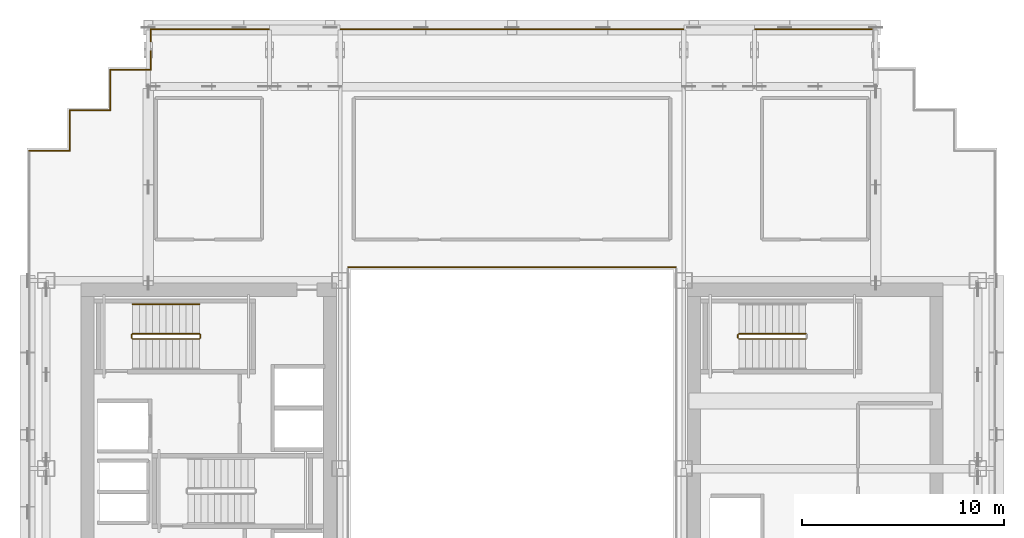
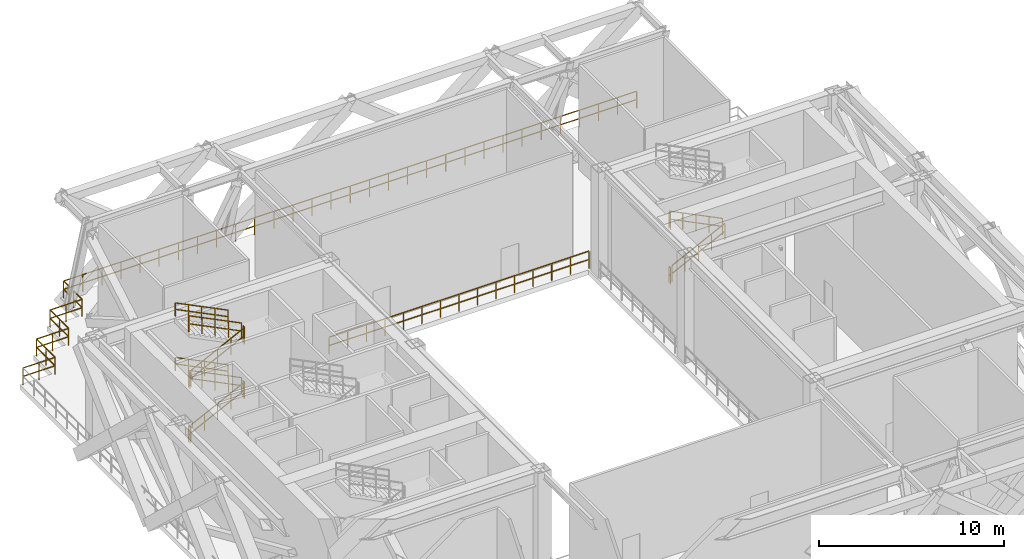
# One storey, part 13 of 14: 23 railings.
"""IFC4 building model written with IfcOpenShell, lengths in metres."""

from ifc_helpers import new_model, si_unit, direction, frame, origin, origin_2d, place, context, subcontext, project, spatial, rectangle, extrude, material, type_object, element, save


model = new_model("IFC4")

# Units and contexts
model_context = context("Model", 3, precision=1e-05, world=origin(), true_north=direction((0.0, 1.0)))
body_context = subcontext(model_context, "Body", "Model", "MODEL_VIEW")
ifc_project = project(units=[si_unit("LENGTHUNIT", "METRE"), si_unit("AREAUNIT", "SQUARE_METRE"), si_unit("VOLUMEUNIT", "CUBIC_METRE"), si_unit("PLANEANGLEUNIT", "RADIAN"), si_unit("MASSUNIT", "GRAM", prefix="KILO")], contexts=[model_context])

# Site, building, storey
site_placement = place(None, origin())
site = spatial("IfcSite", under=ifc_project, at=site_placement, CompositionType="ELEMENT")
building_placement = place(site_placement, origin())
building = spatial("IfcBuilding", under=site, at=building_placement, Name="Ocotamira Hotel", CompositionType="ELEMENT")
storey_placement = place(building_placement, frame((0.0, 0.0, 151.199951171875)))
storey = spatial("IfcBuildingStorey", under=building, at=storey_placement, Name="L38", CompositionType="ELEMENT", Elevation=151.199951171875)

# Railings
ifc_material_1 = material(Name="Painted steel stair guardrail", Category="steel")
railing_type_1 = type_object("IfcRailingType", Name="RL-EDGE-1150", PredefinedType="GUARDRAIL", material=ifc_material_1)
railing_1_placement = place(storey_placement, frame((40.10009765625, 38.1201171875, 0.0)))
element("IfcRailing", 1, at=railing_1_placement, inside=storey, type_object=railing_type_1, Name="L38 Central Atrium Edge Guardrail N", PredefinedType="GUARDRAIL", context=body_context, shape_type="SweptSolid", body=[
    extrude(rectangle(XDim=0.048095703125, YDim=0.048095703125, at=origin_2d()), frame((0.0, 0.0, 1.1259765625), z_axis=(-1.0, 0.0, 0.0), x_axis=(0.0, -1.0, 0.0)), (0.0, 0.0, 1.0), 16.2001953125),
    extrude(rectangle(XDim=0.048095703125, YDim=0.048095703125, at=origin_2d()), frame((0.0, 0.0, 0.574951171875), z_axis=(-1.0, 0.0, 0.0), x_axis=(0.0, -1.0, 0.0)), (0.0, 0.0, 1.0), 16.2001953125),
    extrude(rectangle(XDim=0.0419921875, YDim=0.0419921875, at=origin_2d()), origin(), (0.0, 0.0, 1.0), 1.101806640625),
    extrude(rectangle(XDim=0.0419921875, YDim=0.0419921875, at=origin_2d()), frame((-1.1572265625, 0.0, 0.0)), (0.0, 0.0, 1.0), 1.101806640625),
    extrude(rectangle(XDim=0.0419921875, YDim=0.0419921875, at=origin_2d()), frame((-2.314208984375, 0.0, 0.0)), (0.0, 0.0, 1.0), 1.101806640625),
    extrude(rectangle(XDim=0.0419921875, YDim=0.0419921875, at=origin_2d()), frame((-3.471435546875, 0.0, 0.0)), (0.0, 0.0, 1.0), 1.101806640625),
    extrude(rectangle(XDim=0.0419921875, YDim=0.0419921875, at=origin_2d()), frame((-4.628662109375, 0.0, 0.0)), (0.0, 0.0, 1.0), 1.101806640625),
    extrude(rectangle(XDim=0.0419921875, YDim=0.0419921875, at=origin_2d()), frame((-5.785888671875, 0.0, 0.0)), (0.0, 0.0, 1.0), 1.101806640625),
    extrude(rectangle(XDim=0.0419921875, YDim=0.0419921875, at=origin_2d()), frame((-6.94287109375, 0.0, 0.0)), (0.0, 0.0, 1.0), 1.101806640625),
    extrude(rectangle(XDim=0.0419921875, YDim=0.0419921875, at=origin_2d()), frame((-8.10009765625, 0.0, 0.0)), (0.0, 0.0, 1.0), 1.101806640625),
    extrude(rectangle(XDim=0.0419921875, YDim=0.0419921875, at=origin_2d()), frame((-9.25732421875, 0.0, 0.0)), (0.0, 0.0, 1.0), 1.101806640625),
    extrude(rectangle(XDim=0.0419921875, YDim=0.0419921875, at=origin_2d()), frame((-10.414306640625, 0.0, 0.0)), (0.0, 0.0, 1.0), 1.101806640625),
    extrude(rectangle(XDim=0.0419921875, YDim=0.0419921875, at=origin_2d()), frame((-11.571533203125, 0.0, 0.0)), (0.0, 0.0, 1.0), 1.101806640625),
    extrude(rectangle(XDim=0.0419921875, YDim=0.0419921875, at=origin_2d()), frame((-12.728759765625, 0.0, 0.0)), (0.0, 0.0, 1.0), 1.101806640625),
    extrude(rectangle(XDim=0.0419921875, YDim=0.0419921875, at=origin_2d()), frame((-13.885986328125, 0.0, 0.0)), (0.0, 0.0, 1.0), 1.101806640625),
    extrude(rectangle(XDim=0.0419921875, YDim=0.0419921875, at=origin_2d()), frame((-15.04296875, 0.0, 0.0)), (0.0, 0.0, 1.0), 1.101806640625),
    extrude(rectangle(XDim=0.0419921875, YDim=0.0419921875, at=origin_2d()), frame((-16.2001953125, 0.0, 0.0)), (0.0, 0.0, 1.0), 1.101806640625),
])
ifc_material_2 = material(Name="Brushed stainless steel handrail", Category="steel")
railing_type_2 = type_object("IfcRailingType", Name="RL-HAND-900", PredefinedType="HANDRAIL", material=ifc_material_2)
railing_2_placement = place(storey_placement, frame((16.530029296875, 36.280029296875, 2.12744140625)))
element("IfcRailing", 2, at=railing_2_placement, inside=storey, type_object=railing_type_2, Name="L38 ST-2 stair handrail 2", PredefinedType="HANDRAIL", context=body_context, shape_type="SweptSolid", body=[
    extrude(rectangle(XDim=0.048095703125, YDim=0.048095703125, at=origin_2d()), frame((0.0, 0.0, 0.8759765625), z_axis=(-0.895920123917, 0.0, 0.444215186098), x_axis=(0.0, -1.0, 0.0)), (0.0, 0.0, 1.0), 3.683349609375),
    extrude(rectangle(XDim=0.048095703125, YDim=0.048095703125, at=origin_2d()), frame((0.0, 0.0, 0.449951171875), z_axis=(-0.895920123917, 0.0, 0.444215186098), x_axis=(0.0, -1.0, 0.0)), (0.0, 0.0, 1.0), 3.683349609375),
    extrude(rectangle(XDim=0.0419921875, YDim=0.0419921875, at=origin_2d()), origin(), (0.0, 0.0, 1.0), 0.851806640625),
    extrude(rectangle(XDim=0.0419921875, YDim=0.0419921875, at=origin_2d()), frame((-0.824951171875, 0.0, 0.4091796875)), (0.0, 0.0, 1.0), 0.851806640625),
    extrude(rectangle(XDim=0.0419921875, YDim=0.0419921875, at=origin_2d()), frame((-1.64990234375, 0.0, 0.818115234375)), (0.0, 0.0, 1.0), 0.851806640625),
    extrude(rectangle(XDim=0.0419921875, YDim=0.0419921875, at=origin_2d()), frame((-2.47509765625, 0.0, 1.22705078125)), (0.0, 0.0, 1.0), 0.851806640625),
    extrude(rectangle(XDim=0.0419921875, YDim=0.0419921875, at=origin_2d()), frame((-3.300048828125, 0.0, 1.63623046875)), (0.0, 0.0, 1.0), 0.851806640625),
])
railing_3_placement = place(storey_placement, frame((16.530029296875, 36.280029296875, 5.727294921875)))
element("IfcRailing", 3, at=railing_3_placement, inside=storey, type_object=railing_type_2, Name="L38 ST-2 stair handrail 4", PredefinedType="HANDRAIL", context=body_context, shape_type="SweptSolid", body=[
    extrude(rectangle(XDim=0.048095703125, YDim=0.048095703125, at=origin_2d()), frame((0.0, 0.0, 0.8759765625), z_axis=(-0.895893744519, 0.0, 0.4442683857), x_axis=(0.0, -1.0, 0.0)), (0.0, 0.0, 1.0), 3.68359375),
    extrude(rectangle(XDim=0.048095703125, YDim=0.048095703125, at=origin_2d()), frame((0.0, 0.0, 0.449951171875), z_axis=(-0.895893744519, 0.0, 0.4442683857), x_axis=(0.0, -1.0, 0.0)), (0.0, 0.0, 1.0), 3.68359375),
    extrude(rectangle(XDim=0.0419921875, YDim=0.0419921875, at=origin_2d()), origin(), (0.0, 0.0, 1.0), 0.851806640625),
    extrude(rectangle(XDim=0.0419921875, YDim=0.0419921875, at=origin_2d()), frame((-0.824951171875, 0.0, 0.4091796875)), (0.0, 0.0, 1.0), 0.851806640625),
    extrude(rectangle(XDim=0.0419921875, YDim=0.0419921875, at=origin_2d()), frame((-1.64990234375, 0.0, 0.818359375)), (0.0, 0.0, 1.0), 0.851806640625),
    extrude(rectangle(XDim=0.0419921875, YDim=0.0419921875, at=origin_2d()), frame((-2.47509765625, 0.0, 1.227294921875)), (0.0, 0.0, 1.0), 0.851806640625),
    extrude(rectangle(XDim=0.0419921875, YDim=0.0419921875, at=origin_2d()), frame((-3.300048828125, 0.0, 1.636474609375)), (0.0, 0.0, 1.0), 0.851806640625),
])
ifc_material_3 = material(Name="Pale-metal stainless steel guardrail", Category="steel")
railing_type_3 = type_object("IfcRailingType", Name="RL-PERIM-1150", PredefinedType="GUARDRAIL", material=ifc_material_3)
railing_4_placement = place(storey_placement, frame((8.1201171875, 43.8798828125, 0.0)))
element("IfcRailing", 4, at=railing_4_placement, inside=storey, type_object=railing_type_3, Name="L38 Perimeter Guardrail WSLOT1-09", PredefinedType="GUARDRAIL", context=body_context, shape_type="SweptSolid", body=[
    extrude(rectangle(XDim=0.048095703125, YDim=0.048095703125, at=origin_2d()), frame((0.0, 0.0, 1.1259765625), z_axis=(1.0, 0.0, 0.0), x_axis=(0.0, 1.0, 0.0)), (0.0, 0.0, 1.0), 2.0),
    extrude(rectangle(XDim=0.048095703125, YDim=0.048095703125, at=origin_2d()), frame((0.0, 0.0, 0.574951171875), z_axis=(1.0, 0.0, 0.0), x_axis=(0.0, 1.0, 0.0)), (0.0, 0.0, 1.0), 2.0),
    extrude(rectangle(XDim=0.0419921875, YDim=0.0419921875, at=origin_2d()), origin(), (0.0, 0.0, 1.0), 1.101806640625),
    extrude(rectangle(XDim=0.0419921875, YDim=0.0419921875, at=origin_2d()), frame((1.0, 0.0, 0.0)), (0.0, 0.0, 1.0), 1.101806640625),
    extrude(rectangle(XDim=0.0419921875, YDim=0.0419921875, at=origin_2d()), frame((2.0, 0.0, 0.0)), (0.0, 0.0, 1.0), 1.101806640625),
])
railing_5_placement = place(storey_placement, frame((10.1201171875, 43.8798828125, 0.0)))
element("IfcRailing", 5, at=railing_5_placement, inside=storey, type_object=railing_type_3, Name="L38 Perimeter Guardrail WSLOT1-10", PredefinedType="GUARDRAIL", context=body_context, shape_type="SweptSolid", body=[
    extrude(rectangle(XDim=0.048095703125, YDim=0.048095703125, at=origin_2d()), frame((0.0, 0.0, 1.1259765625), z_axis=(0.0, 1.0, 0.0), x_axis=(-1.0, 0.0, 0.0)), (0.0, 0.0, 1.0), 2.0),
    extrude(rectangle(XDim=0.048095703125, YDim=0.048095703125, at=origin_2d()), frame((0.0, 0.0, 0.574951171875), z_axis=(0.0, 1.0, 0.0), x_axis=(-1.0, 0.0, 0.0)), (0.0, 0.0, 1.0), 2.0),
    extrude(rectangle(XDim=0.0419921875, YDim=0.0419921875, at=origin_2d()), origin(), (0.0, 0.0, 1.0), 1.101806640625),
    extrude(rectangle(XDim=0.0419921875, YDim=0.0419921875, at=origin_2d()), frame((0.0, 1.0, 0.0)), (0.0, 0.0, 1.0), 1.101806640625),
    extrude(rectangle(XDim=0.0419921875, YDim=0.0419921875, at=origin_2d()), frame((0.0, 2.0, 0.0)), (0.0, 0.0, 1.0), 1.101806640625),
])
railing_6_placement = place(storey_placement, frame((10.1201171875, 45.8798828125, 0.0)))
element("IfcRailing", 6, at=railing_6_placement, inside=storey, type_object=railing_type_3, Name="L38 Perimeter Guardrail WSLOT1-11", PredefinedType="GUARDRAIL", context=body_context, shape_type="SweptSolid", body=[
    extrude(rectangle(XDim=0.048095703125, YDim=0.048095703125, at=origin_2d()), frame((0.0, 0.0, 1.1259765625), z_axis=(1.0, 0.0, 0.0), x_axis=(0.0, 1.0, 0.0)), (0.0, 0.0, 1.0), 2.0),
    extrude(rectangle(XDim=0.048095703125, YDim=0.048095703125, at=origin_2d()), frame((0.0, 0.0, 0.574951171875), z_axis=(1.0, 0.0, 0.0), x_axis=(0.0, 1.0, 0.0)), (0.0, 0.0, 1.0), 2.0),
    extrude(rectangle(XDim=0.0419921875, YDim=0.0419921875, at=origin_2d()), origin(), (0.0, 0.0, 1.0), 1.101806640625),
    extrude(rectangle(XDim=0.0419921875, YDim=0.0419921875, at=origin_2d()), frame((1.0, 0.0, 0.0)), (0.0, 0.0, 1.0), 1.101806640625),
    extrude(rectangle(XDim=0.0419921875, YDim=0.0419921875, at=origin_2d()), frame((2.0, 0.0, 0.0)), (0.0, 0.0, 1.0), 1.101806640625),
])
railing_7_placement = place(storey_placement, frame((12.1201171875, 45.8798828125, 0.0)))
element("IfcRailing", 7, at=railing_7_placement, inside=storey, type_object=railing_type_3, Name="L38 Perimeter Guardrail WSLOT1-12", PredefinedType="GUARDRAIL", context=body_context, shape_type="SweptSolid", body=[
    extrude(rectangle(XDim=0.048095703125, YDim=0.048095703125, at=origin_2d()), frame((0.0, 0.0, 1.1259765625), z_axis=(0.0, 1.0, 0.0), x_axis=(-1.0, 0.0, 0.0)), (0.0, 0.0, 1.0), 2.0),
    extrude(rectangle(XDim=0.048095703125, YDim=0.048095703125, at=origin_2d()), frame((0.0, 0.0, 0.574951171875), z_axis=(0.0, 1.0, 0.0), x_axis=(-1.0, 0.0, 0.0)), (0.0, 0.0, 1.0), 2.0),
    extrude(rectangle(XDim=0.0419921875, YDim=0.0419921875, at=origin_2d()), origin(), (0.0, 0.0, 1.0), 1.101806640625),
    extrude(rectangle(XDim=0.0419921875, YDim=0.0419921875, at=origin_2d()), frame((0.0, 1.0, 0.0)), (0.0, 0.0, 1.0), 1.101806640625),
    extrude(rectangle(XDim=0.0419921875, YDim=0.0419921875, at=origin_2d()), frame((0.0, 2.0, 0.0)), (0.0, 0.0, 1.0), 1.101806640625),
])
railing_8_placement = place(storey_placement, frame((12.1201171875, 47.8798828125, 0.0)))
element("IfcRailing", 8, at=railing_8_placement, inside=storey, type_object=railing_type_3, Name="L38 Perimeter Guardrail WSLOT1-13", PredefinedType="GUARDRAIL", context=body_context, shape_type="SweptSolid", body=[
    extrude(rectangle(XDim=0.048095703125, YDim=0.048095703125, at=origin_2d()), frame((0.0, 0.0, 1.1259765625), z_axis=(1.0, 0.0, 0.0), x_axis=(0.0, 1.0, 0.0)), (0.0, 0.0, 1.0), 2.0),
    extrude(rectangle(XDim=0.048095703125, YDim=0.048095703125, at=origin_2d()), frame((0.0, 0.0, 0.574951171875), z_axis=(1.0, 0.0, 0.0), x_axis=(0.0, 1.0, 0.0)), (0.0, 0.0, 1.0), 2.0),
    extrude(rectangle(XDim=0.0419921875, YDim=0.0419921875, at=origin_2d()), origin(), (0.0, 0.0, 1.0), 1.101806640625),
    extrude(rectangle(XDim=0.0419921875, YDim=0.0419921875, at=origin_2d()), frame((1.0, 0.0, 0.0)), (0.0, 0.0, 1.0), 1.101806640625),
    extrude(rectangle(XDim=0.0419921875, YDim=0.0419921875, at=origin_2d()), frame((2.0, 0.0, 0.0)), (0.0, 0.0, 1.0), 1.101806640625),
])
railing_9_placement = place(storey_placement, frame((14.1201171875, 47.8798828125, 0.0)))
element("IfcRailing", 9, at=railing_9_placement, inside=storey, type_object=railing_type_3, Name="L38 Perimeter Guardrail WSLOT1-14", PredefinedType="GUARDRAIL", context=body_context, shape_type="SweptSolid", body=[
    extrude(rectangle(XDim=0.048095703125, YDim=0.048095703125, at=origin_2d()), frame((0.0, 0.0, 1.1259765625), z_axis=(0.0, 1.0, 0.0), x_axis=(-1.0, 0.0, 0.0)), (0.0, 0.0, 1.0), 0.9326171875),
    extrude(rectangle(XDim=0.048095703125, YDim=0.048095703125, at=origin_2d()), frame((0.0, 0.0, 0.574951171875), z_axis=(0.0, 1.0, 0.0), x_axis=(-1.0, 0.0, 0.0)), (0.0, 0.0, 1.0), 0.9326171875),
    extrude(rectangle(XDim=0.0419921875, YDim=0.0419921875, at=origin_2d()), origin(), (0.0, 0.0, 1.0), 1.101806640625),
    extrude(rectangle(XDim=0.0419921875, YDim=0.0419921875, at=origin_2d()), frame((0.0, 0.9326171875, 0.0)), (0.0, 0.0, 1.0), 1.101806640625),
])
railing_10_placement = place(storey_placement, frame((14.1201171875, 49.28759765625, 0.0)))
element("IfcRailing", 10, at=railing_10_placement, inside=storey, type_object=railing_type_3, Name="L38 Perimeter Guardrail WSLOT1-15", PredefinedType="GUARDRAIL", context=body_context, shape_type="SweptSolid", body=[
    extrude(rectangle(XDim=0.048095703125, YDim=0.048095703125, at=origin_2d()), frame((0.0, 0.0, 1.1259765625), z_axis=(0.0, 1.0, 0.0), x_axis=(-1.0, 0.0, 0.0)), (0.0, 0.0, 1.0), 0.59228515625),
    extrude(rectangle(XDim=0.048095703125, YDim=0.048095703125, at=origin_2d()), frame((0.0, 0.0, 0.574951171875), z_axis=(0.0, 1.0, 0.0), x_axis=(-1.0, 0.0, 0.0)), (0.0, 0.0, 1.0), 0.59228515625),
    extrude(rectangle(XDim=0.0419921875, YDim=0.0419921875, at=origin_2d()), origin(), (0.0, 0.0, 1.0), 1.101806640625),
    extrude(rectangle(XDim=0.0419921875, YDim=0.0419921875, at=origin_2d()), frame((0.0, 0.59228515625, 0.0)), (0.0, 0.0, 1.0), 1.101806640625),
])
railing_11_placement = place(storey_placement, frame((14.1201171875, 49.8798828125, 0.0)))
element("IfcRailing", 11, at=railing_11_placement, inside=storey, type_object=railing_type_3, Name="L38 Perimeter Guardrail WSLOT1-16", PredefinedType="GUARDRAIL", context=body_context, shape_type="SweptSolid", body=[
    extrude(rectangle(XDim=0.048095703125, YDim=0.048095703125, at=origin_2d()), frame((0.0, 0.0, 1.1259765625), z_axis=(1.0, 0.0, 0.0), x_axis=(0.0, 1.0, 0.0)), (0.0, 0.0, 1.0), 35.759765625),
    extrude(rectangle(XDim=0.048095703125, YDim=0.048095703125, at=origin_2d()), frame((0.0, 0.0, 0.574951171875), z_axis=(1.0, 0.0, 0.0), x_axis=(0.0, 1.0, 0.0)), (0.0, 0.0, 1.0), 35.759765625),
    extrude(rectangle(XDim=0.0419921875, YDim=0.0419921875, at=origin_2d()), origin(), (0.0, 0.0, 1.0), 1.101806640625),
    extrude(rectangle(XDim=0.0419921875, YDim=0.0419921875, at=origin_2d()), frame((1.19189453125, 0.0, 0.0)), (0.0, 0.0, 1.0), 1.101806640625),
    extrude(rectangle(XDim=0.0419921875, YDim=0.0419921875, at=origin_2d()), frame((2.384033203125, 0.0, 0.0)), (0.0, 0.0, 1.0), 1.101806640625),
    extrude(rectangle(XDim=0.0419921875, YDim=0.0419921875, at=origin_2d()), frame((3.575927734375, 0.0, 0.0)), (0.0, 0.0, 1.0), 1.101806640625),
    extrude(rectangle(XDim=0.0419921875, YDim=0.0419921875, at=origin_2d()), frame((4.76806640625, 0.0, 0.0)), (0.0, 0.0, 1.0), 1.101806640625),
    extrude(rectangle(XDim=0.0419921875, YDim=0.0419921875, at=origin_2d()), frame((5.9599609375, 0.0, 0.0)), (0.0, 0.0, 1.0), 1.101806640625),
    extrude(rectangle(XDim=0.0419921875, YDim=0.0419921875, at=origin_2d()), frame((7.15185546875, 0.0, 0.0)), (0.0, 0.0, 1.0), 1.101806640625),
    extrude(rectangle(XDim=0.0419921875, YDim=0.0419921875, at=origin_2d()), frame((8.343994140625, 0.0, 0.0)), (0.0, 0.0, 1.0), 1.101806640625),
    extrude(rectangle(XDim=0.0419921875, YDim=0.0419921875, at=origin_2d()), frame((9.535888671875, 0.0, 0.0)), (0.0, 0.0, 1.0), 1.101806640625),
    extrude(rectangle(XDim=0.0419921875, YDim=0.0419921875, at=origin_2d()), frame((10.72802734375, 0.0, 0.0)), (0.0, 0.0, 1.0), 1.101806640625),
    extrude(rectangle(XDim=0.0419921875, YDim=0.0419921875, at=origin_2d()), frame((11.919921875, 0.0, 0.0)), (0.0, 0.0, 1.0), 1.101806640625),
    extrude(rectangle(XDim=0.0419921875, YDim=0.0419921875, at=origin_2d()), frame((13.11181640625, 0.0, 0.0)), (0.0, 0.0, 1.0), 1.101806640625),
    extrude(rectangle(XDim=0.0419921875, YDim=0.0419921875, at=origin_2d()), frame((14.303955078125, 0.0, 0.0)), (0.0, 0.0, 1.0), 1.101806640625),
    extrude(rectangle(XDim=0.0419921875, YDim=0.0419921875, at=origin_2d()), frame((15.495849609375, 0.0, 0.0)), (0.0, 0.0, 1.0), 1.101806640625),
    extrude(rectangle(XDim=0.0419921875, YDim=0.0419921875, at=origin_2d()), frame((16.68798828125, 0.0, 0.0)), (0.0, 0.0, 1.0), 1.101806640625),
    extrude(rectangle(XDim=0.0419921875, YDim=0.0419921875, at=origin_2d()), frame((17.8798828125, 0.0, 0.0)), (0.0, 0.0, 1.0), 1.101806640625),
    extrude(rectangle(XDim=0.0419921875, YDim=0.0419921875, at=origin_2d()), frame((19.07177734375, 0.0, 0.0)), (0.0, 0.0, 1.0), 1.101806640625),
    extrude(rectangle(XDim=0.0419921875, YDim=0.0419921875, at=origin_2d()), frame((20.263916015625, 0.0, 0.0)), (0.0, 0.0, 1.0), 1.101806640625),
    extrude(rectangle(XDim=0.0419921875, YDim=0.0419921875, at=origin_2d()), frame((21.455810546875, 0.0, 0.0)), (0.0, 0.0, 1.0), 1.101806640625),
    extrude(rectangle(XDim=0.0419921875, YDim=0.0419921875, at=origin_2d()), frame((22.64794921875, 0.0, 0.0)), (0.0, 0.0, 1.0), 1.101806640625),
    extrude(rectangle(XDim=0.0419921875, YDim=0.0419921875, at=origin_2d()), frame((23.83984375, 0.0, 0.0)), (0.0, 0.0, 1.0), 1.101806640625),
    extrude(rectangle(XDim=0.0419921875, YDim=0.0419921875, at=origin_2d()), frame((25.03173828125, 0.0, 0.0)), (0.0, 0.0, 1.0), 1.101806640625),
    extrude(rectangle(XDim=0.0419921875, YDim=0.0419921875, at=origin_2d()), frame((26.223876953125, 0.0, 0.0)), (0.0, 0.0, 1.0), 1.101806640625),
    extrude(rectangle(XDim=0.0419921875, YDim=0.0419921875, at=origin_2d()), frame((27.415771484375, 0.0, 0.0)), (0.0, 0.0, 1.0), 1.101806640625),
    extrude(rectangle(XDim=0.0419921875, YDim=0.0419921875, at=origin_2d()), frame((28.60791015625, 0.0, 0.0)), (0.0, 0.0, 1.0), 1.101806640625),
    extrude(rectangle(XDim=0.0419921875, YDim=0.0419921875, at=origin_2d()), frame((29.7998046875, 0.0, 0.0)), (0.0, 0.0, 1.0), 1.101806640625),
    extrude(rectangle(XDim=0.0419921875, YDim=0.0419921875, at=origin_2d()), frame((30.99169921875, 0.0, 0.0)), (0.0, 0.0, 1.0), 1.101806640625),
    extrude(rectangle(XDim=0.0419921875, YDim=0.0419921875, at=origin_2d()), frame((32.183837890625, 0.0, 0.0)), (0.0, 0.0, 1.0), 1.101806640625),
    extrude(rectangle(XDim=0.0419921875, YDim=0.0419921875, at=origin_2d()), frame((33.375732421875, 0.0, 0.0)), (0.0, 0.0, 1.0), 1.101806640625),
    extrude(rectangle(XDim=0.0419921875, YDim=0.0419921875, at=origin_2d()), frame((34.56787109375, 0.0, 0.0)), (0.0, 0.0, 1.0), 1.101806640625),
    extrude(rectangle(XDim=0.0419921875, YDim=0.0419921875, at=origin_2d()), frame((35.759765625, 0.0, 0.0)), (0.0, 0.0, 1.0), 1.101806640625),
])
railing_type_4 = type_object("IfcRailingType", Name="RL-STAIR-1100", PredefinedType="GUARDRAIL", material=ifc_material_1)
railing_12_placement = place(storey_placement, frame((13.22998046875, 34.56005859375, 0.16357421875)))
element("IfcRailing", 12, at=railing_12_placement, inside=storey, type_object=railing_type_4, Name="L38 ST-2 stair guard 1", PredefinedType="GUARDRAIL", context=body_context, shape_type="SweptSolid", body=[
    extrude(rectangle(XDim=0.048095703125, YDim=0.048095703125, at=origin_2d()), frame((0.0, 0.0, 1.076171875), z_axis=(0.895893744519, 0.0, 0.4442683857), x_axis=(0.0, 1.0, 0.0)), (0.0, 0.0, 1.0), 3.68359375),
    extrude(rectangle(XDim=0.048095703125, YDim=0.048095703125, at=origin_2d()), frame((0.0, 0.0, 0.550048828125), z_axis=(0.895893744519, 0.0, 0.4442683857), x_axis=(0.0, 1.0, 0.0)), (0.0, 0.0, 1.0), 3.68359375),
    extrude(rectangle(XDim=0.0419921875, YDim=0.0419921875, at=origin_2d()), origin(), (0.0, 0.0, 1.0), 1.052001953125),
    extrude(rectangle(XDim=0.0419921875, YDim=0.0419921875, at=origin_2d()), frame((0.824951171875, 0.0, 0.4091796875)), (0.0, 0.0, 1.0), 1.052001953125),
    extrude(rectangle(XDim=0.0419921875, YDim=0.0419921875, at=origin_2d()), frame((1.64990234375, 0.0, 0.818359375)), (0.0, 0.0, 1.0), 1.052001953125),
    extrude(rectangle(XDim=0.0419921875, YDim=0.0419921875, at=origin_2d()), frame((2.47509765625, 0.0, 1.227294921875)), (0.0, 0.0, 1.0), 1.052001953125),
    extrude(rectangle(XDim=0.0419921875, YDim=0.0419921875, at=origin_2d()), frame((3.300048828125, 0.0, 1.636474609375)), (0.0, 0.0, 1.0), 1.052001953125),
])
railing_13_placement = place(storey_placement, frame((16.580078125, 34.610107421875, 1.800048828125)))
element("IfcRailing", 13, at=railing_13_placement, inside=storey, type_object=railing_type_4, Name="L38 ST-2 stair guard 2", PredefinedType="GUARDRAIL", context=body_context, shape_type="SweptSolid", body=[
    extrude(rectangle(XDim=0.048095703125, YDim=0.048095703125, at=origin_2d()), frame((0.0, 0.0, 1.076171875), z_axis=(0.0, 1.0, 0.0), x_axis=(-1.0, 0.0, 0.0)), (0.0, 0.0, 1.0), 0.159912109375),
    extrude(rectangle(XDim=0.048095703125, YDim=0.048095703125, at=origin_2d()), frame((0.0, 0.0, 0.550048828125), z_axis=(0.0, 1.0, 0.0), x_axis=(-1.0, 0.0, 0.0)), (0.0, 0.0, 1.0), 0.159912109375),
    extrude(rectangle(XDim=0.0419921875, YDim=0.0419921875, at=origin_2d()), origin(), (0.0, 0.0, 1.0), 1.052001953125),
    extrude(rectangle(XDim=0.0419921875, YDim=0.0419921875, at=origin_2d()), frame((0.0, 0.159912109375, 0.0)), (0.0, 0.0, 1.0), 1.052001953125),
])
railing_14_placement = place(storey_placement, frame((16.530029296875, 34.820068359375, 1.963623046875)))
element("IfcRailing", 14, at=railing_14_placement, inside=storey, type_object=railing_type_4, Name="L38 ST-2 stair guard 3", PredefinedType="GUARDRAIL", context=body_context, shape_type="SweptSolid", body=[
    extrude(rectangle(XDim=0.048095703125, YDim=0.048095703125, at=origin_2d()), frame((0.0, 0.0, 1.076171875), z_axis=(-0.895893744519, 0.0, 0.4442683857), x_axis=(0.0, -1.0, 0.0)), (0.0, 0.0, 1.0), 3.68359375),
    extrude(rectangle(XDim=0.048095703125, YDim=0.048095703125, at=origin_2d()), frame((0.0, 0.0, 0.550048828125), z_axis=(-0.895893744519, 0.0, 0.4442683857), x_axis=(0.0, -1.0, 0.0)), (0.0, 0.0, 1.0), 3.68359375),
    extrude(rectangle(XDim=0.0419921875, YDim=0.0419921875, at=origin_2d()), origin(), (0.0, 0.0, 1.0), 1.052001953125),
    extrude(rectangle(XDim=0.0419921875, YDim=0.0419921875, at=origin_2d()), frame((-0.824951171875, 0.0, 0.4091796875)), (0.0, 0.0, 1.0), 1.052001953125),
    extrude(rectangle(XDim=0.0419921875, YDim=0.0419921875, at=origin_2d()), frame((-1.64990234375, 0.0, 0.818359375)), (0.0, 0.0, 1.0), 1.052001953125),
    extrude(rectangle(XDim=0.0419921875, YDim=0.0419921875, at=origin_2d()), frame((-2.47509765625, 0.0, 1.227294921875)), (0.0, 0.0, 1.0), 1.052001953125),
    extrude(rectangle(XDim=0.0419921875, YDim=0.0419921875, at=origin_2d()), frame((-3.300048828125, 0.0, 1.636474609375)), (0.0, 0.0, 1.0), 1.052001953125),
])
railing_15_placement = place(storey_placement, frame((13.179931640625, 34.610107421875, 3.60009765625)))
element("IfcRailing", 15, at=railing_15_placement, inside=storey, type_object=railing_type_4, Name="L38 ST-2 stair guard 4", PredefinedType="GUARDRAIL", context=body_context, shape_type="SweptSolid", body=[
    extrude(rectangle(XDim=0.048095703125, YDim=0.048095703125, at=origin_2d()), frame((0.0, 0.0, 1.076171875), z_axis=(0.0, 1.0, 0.0), x_axis=(-1.0, 0.0, 0.0)), (0.0, 0.0, 1.0), 0.159912109375),
    extrude(rectangle(XDim=0.048095703125, YDim=0.048095703125, at=origin_2d()), frame((0.0, 0.0, 0.550048828125), z_axis=(0.0, 1.0, 0.0), x_axis=(-1.0, 0.0, 0.0)), (0.0, 0.0, 1.0), 0.159912109375),
    extrude(rectangle(XDim=0.0419921875, YDim=0.0419921875, at=origin_2d()), origin(), (0.0, 0.0, 1.0), 1.052001953125),
    extrude(rectangle(XDim=0.0419921875, YDim=0.0419921875, at=origin_2d()), frame((0.0, 0.159912109375, 0.0)), (0.0, 0.0, 1.0), 1.052001953125),
])
railing_16_placement = place(storey_placement, frame((13.22998046875, 34.56005859375, 3.763671875)))
element("IfcRailing", 16, at=railing_16_placement, inside=storey, type_object=railing_type_4, Name="L38 ST-2 stair guard 5", PredefinedType="GUARDRAIL", context=body_context, shape_type="SweptSolid", body=[
    extrude(rectangle(XDim=0.048095703125, YDim=0.048095703125, at=origin_2d()), frame((0.0, 0.0, 1.076171875), z_axis=(0.895893744519, 0.0, 0.4442683857), x_axis=(0.0, 1.0, 0.0)), (0.0, 0.0, 1.0), 3.68359375),
    extrude(rectangle(XDim=0.048095703125, YDim=0.048095703125, at=origin_2d()), frame((0.0, 0.0, 0.550048828125), z_axis=(0.895893744519, 0.0, 0.4442683857), x_axis=(0.0, 1.0, 0.0)), (0.0, 0.0, 1.0), 3.68359375),
    extrude(rectangle(XDim=0.0419921875, YDim=0.0419921875, at=origin_2d()), origin(), (0.0, 0.0, 1.0), 1.052001953125),
    extrude(rectangle(XDim=0.0419921875, YDim=0.0419921875, at=origin_2d()), frame((0.824951171875, 0.0, 0.4091796875)), (0.0, 0.0, 1.0), 1.052001953125),
    extrude(rectangle(XDim=0.0419921875, YDim=0.0419921875, at=origin_2d()), frame((1.64990234375, 0.0, 0.818359375)), (0.0, 0.0, 1.0), 1.052001953125),
    extrude(rectangle(XDim=0.0419921875, YDim=0.0419921875, at=origin_2d()), frame((2.47509765625, 0.0, 1.227294921875)), (0.0, 0.0, 1.0), 1.052001953125),
    extrude(rectangle(XDim=0.0419921875, YDim=0.0419921875, at=origin_2d()), frame((3.300048828125, 0.0, 1.636474609375)), (0.0, 0.0, 1.0), 1.052001953125),
])
railing_17_placement = place(storey_placement, frame((16.580078125, 34.610107421875, 5.400146484375)))
element("IfcRailing", 17, at=railing_17_placement, inside=storey, type_object=railing_type_4, Name="L38 ST-2 stair guard 6", PredefinedType="GUARDRAIL", context=body_context, shape_type="SweptSolid", body=[
    extrude(rectangle(XDim=0.048095703125, YDim=0.048095703125, at=origin_2d()), frame((0.0, 0.0, 1.076171875), z_axis=(0.0, 1.0, 0.0), x_axis=(-1.0, 0.0, 0.0)), (0.0, 0.0, 1.0), 0.159912109375),
    extrude(rectangle(XDim=0.048095703125, YDim=0.048095703125, at=origin_2d()), frame((0.0, 0.0, 0.550048828125), z_axis=(0.0, 1.0, 0.0), x_axis=(-1.0, 0.0, 0.0)), (0.0, 0.0, 1.0), 0.159912109375),
    extrude(rectangle(XDim=0.0419921875, YDim=0.0419921875, at=origin_2d()), origin(), (0.0, 0.0, 1.0), 1.052001953125),
    extrude(rectangle(XDim=0.0419921875, YDim=0.0419921875, at=origin_2d()), frame((0.0, 0.159912109375, 0.0)), (0.0, 0.0, 1.0), 1.052001953125),
])
railing_18_placement = place(storey_placement, frame((16.530029296875, 34.820068359375, 5.563720703125)))
element("IfcRailing", 18, at=railing_18_placement, inside=storey, type_object=railing_type_4, Name="L38 ST-2 stair guard 7", PredefinedType="GUARDRAIL", context=body_context, shape_type="SweptSolid", body=[
    extrude(rectangle(XDim=0.048095703125, YDim=0.048095703125, at=origin_2d()), frame((0.0, 0.0, 1.076171875), z_axis=(-0.895920123917, 0.0, 0.444215186098), x_axis=(0.0, -1.0, 0.0)), (0.0, 0.0, 1.0), 3.683349609375),
    extrude(rectangle(XDim=0.048095703125, YDim=0.048095703125, at=origin_2d()), frame((0.0, 0.0, 0.550048828125), z_axis=(-0.895920123917, 0.0, 0.444215186098), x_axis=(0.0, -1.0, 0.0)), (0.0, 0.0, 1.0), 3.683349609375),
    extrude(rectangle(XDim=0.0419921875, YDim=0.0419921875, at=origin_2d()), origin(), (0.0, 0.0, 1.0), 1.052001953125),
    extrude(rectangle(XDim=0.0419921875, YDim=0.0419921875, at=origin_2d()), frame((-0.824951171875, 0.0, 0.4091796875)), (0.0, 0.0, 1.0), 1.052001953125),
    extrude(rectangle(XDim=0.0419921875, YDim=0.0419921875, at=origin_2d()), frame((-1.64990234375, 0.0, 0.818115234375)), (0.0, 0.0, 1.0), 1.052001953125),
    extrude(rectangle(XDim=0.0419921875, YDim=0.0419921875, at=origin_2d()), frame((-2.47509765625, 0.0, 1.22705078125)), (0.0, 0.0, 1.0), 1.052001953125),
    extrude(rectangle(XDim=0.0419921875, YDim=0.0419921875, at=origin_2d()), frame((-3.300048828125, 0.0, 1.63623046875)), (0.0, 0.0, 1.0), 1.052001953125),
])
railing_19_placement = place(storey_placement, frame((13.179931640625, 34.610107421875, 0.0)))
element("IfcRailing", 19, at=railing_19_placement, inside=storey, type_object=railing_type_4, Name="L38 ST-2 stair guard 8", PredefinedType="GUARDRAIL", context=body_context, shape_type="SweptSolid", body=[
    extrude(rectangle(XDim=0.048095703125, YDim=0.048095703125, at=origin_2d()), frame((0.0, 0.0, 1.076171875), z_axis=(0.0, 1.0, 0.0), x_axis=(-1.0, 0.0, 0.0)), (0.0, 0.0, 1.0), 0.159912109375),
    extrude(rectangle(XDim=0.048095703125, YDim=0.048095703125, at=origin_2d()), frame((0.0, 0.0, 0.550048828125), z_axis=(0.0, 1.0, 0.0), x_axis=(-1.0, 0.0, 0.0)), (0.0, 0.0, 1.0), 0.159912109375),
    extrude(rectangle(XDim=0.0419921875, YDim=0.0419921875, at=origin_2d()), origin(), (0.0, 0.0, 1.0), 1.052001953125),
    extrude(rectangle(XDim=0.0419921875, YDim=0.0419921875, at=origin_2d()), frame((0.0, 0.159912109375, 0.0)), (0.0, 0.0, 1.0), 1.052001953125),
])
railing_20_placement = place(storey_placement, frame((43.22998046875, 34.56005859375, 0.16357421875)))
element("IfcRailing", 20, at=railing_20_placement, inside=storey, type_object=railing_type_4, Name="L38 ST-4 stair guard 1", PredefinedType="GUARDRAIL", context=body_context, shape_type="SweptSolid", body=[
    extrude(rectangle(XDim=0.048095703125, YDim=0.048095703125, at=origin_2d()), frame((0.0, 0.0, 1.076171875), z_axis=(0.895893744519, 0.0, 0.4442683857), x_axis=(0.0, 1.0, 0.0)), (0.0, 0.0, 1.0), 3.68359375),
    extrude(rectangle(XDim=0.048095703125, YDim=0.048095703125, at=origin_2d()), frame((0.0, 0.0, 0.550048828125), z_axis=(0.895893744519, 0.0, 0.4442683857), x_axis=(0.0, 1.0, 0.0)), (0.0, 0.0, 1.0), 3.68359375),
    extrude(rectangle(XDim=0.0419921875, YDim=0.0419921875, at=origin_2d()), origin(), (0.0, 0.0, 1.0), 1.052001953125),
    extrude(rectangle(XDim=0.0419921875, YDim=0.0419921875, at=origin_2d()), frame((0.824951171875, 0.0, 0.4091796875)), (0.0, 0.0, 1.0), 1.052001953125),
    extrude(rectangle(XDim=0.0419921875, YDim=0.0419921875, at=origin_2d()), frame((1.64990234375, 0.0, 0.818359375)), (0.0, 0.0, 1.0), 1.052001953125),
    extrude(rectangle(XDim=0.0419921875, YDim=0.0419921875, at=origin_2d()), frame((2.47509765625, 0.0, 1.227294921875)), (0.0, 0.0, 1.0), 1.052001953125),
    extrude(rectangle(XDim=0.0419921875, YDim=0.0419921875, at=origin_2d()), frame((3.300048828125, 0.0, 1.636474609375)), (0.0, 0.0, 1.0), 1.052001953125),
])
railing_21_placement = place(storey_placement, frame((46.530029296875, 34.820068359375, 1.963623046875)))
element("IfcRailing", 21, at=railing_21_placement, inside=storey, type_object=railing_type_4, Name="L38 ST-4 stair guard 3", PredefinedType="GUARDRAIL", context=body_context, shape_type="SweptSolid", body=[
    extrude(rectangle(XDim=0.048095703125, YDim=0.048095703125, at=origin_2d()), frame((0.0, 0.0, 1.076171875), z_axis=(-0.895893744519, 0.0, 0.4442683857), x_axis=(0.0, -1.0, 0.0)), (0.0, 0.0, 1.0), 3.68359375),
    extrude(rectangle(XDim=0.048095703125, YDim=0.048095703125, at=origin_2d()), frame((0.0, 0.0, 0.550048828125), z_axis=(-0.895893744519, 0.0, 0.4442683857), x_axis=(0.0, -1.0, 0.0)), (0.0, 0.0, 1.0), 3.68359375),
    extrude(rectangle(XDim=0.0419921875, YDim=0.0419921875, at=origin_2d()), origin(), (0.0, 0.0, 1.0), 1.052001953125),
    extrude(rectangle(XDim=0.0419921875, YDim=0.0419921875, at=origin_2d()), frame((-0.824951171875, 0.0, 0.4091796875)), (0.0, 0.0, 1.0), 1.052001953125),
    extrude(rectangle(XDim=0.0419921875, YDim=0.0419921875, at=origin_2d()), frame((-1.64990234375, 0.0, 0.818359375)), (0.0, 0.0, 1.0), 1.052001953125),
    extrude(rectangle(XDim=0.0419921875, YDim=0.0419921875, at=origin_2d()), frame((-2.47509765625, 0.0, 1.227294921875)), (0.0, 0.0, 1.0), 1.052001953125),
    extrude(rectangle(XDim=0.0419921875, YDim=0.0419921875, at=origin_2d()), frame((-3.300048828125, 0.0, 1.636474609375)), (0.0, 0.0, 1.0), 1.052001953125),
])
for number, where, name in (
    (22, (43.179931640625, 34.610107421875, 3.60009765625), "L38 ST-4 stair guard 4"),
    (23, (43.179931640625, 34.610107421875, 0.0), "L38 ST-4 stair guard 8"),
):
    element("IfcRailing", number, at=place(storey_placement, frame(where)), inside=storey, type_object=railing_type_4, Name=name, PredefinedType="GUARDRAIL", context=body_context, shape_type="SweptSolid", body=[
        extrude(rectangle(XDim=0.048095703125, YDim=0.048095703125, at=origin_2d()), frame((0.0, 0.0, 1.076171875), z_axis=(0.0, 1.0, 0.0), x_axis=(-1.0, 0.0, 0.0)), (0.0, 0.0, 1.0), 0.159912109375),
        extrude(rectangle(XDim=0.048095703125, YDim=0.048095703125, at=origin_2d()), frame((0.0, 0.0, 0.550048828125), z_axis=(0.0, 1.0, 0.0), x_axis=(-1.0, 0.0, 0.0)), (0.0, 0.0, 1.0), 0.159912109375),
        extrude(rectangle(XDim=0.0419921875, YDim=0.0419921875, at=origin_2d()), origin(), (0.0, 0.0, 1.0), 1.052001953125),
        extrude(rectangle(XDim=0.0419921875, YDim=0.0419921875, at=origin_2d()), frame((0.0, 0.159912109375, 0.0)), (0.0, 0.0, 1.0), 1.052001953125),
    ])

save(model, "model.ifc")
